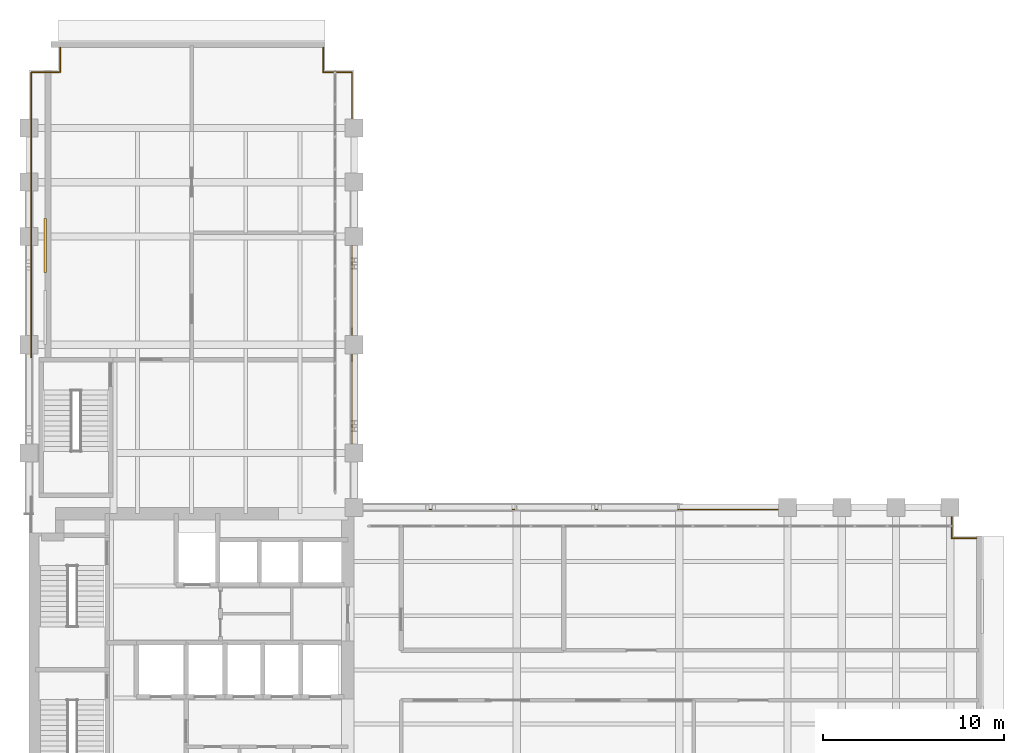
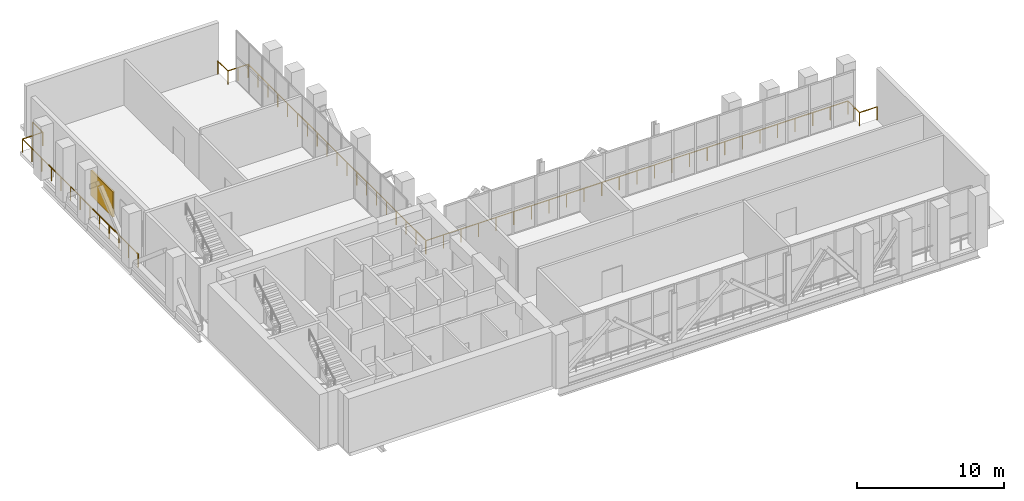
# One storey, part 27 of 27: 2 railings, 1 shading device.
"""IFC4 building model written with IfcOpenShell, lengths in metres."""

from ifc_helpers import new_model, si_unit, direction, frame, origin, origin_2d, place, context, subcontext, project, spatial, rectangle, circle, extrude, material, layer, layer_set, type_object, element, save


model = new_model("IFC4")

# Units and contexts
model_context = context("Model", 3, precision=1e-05, world=origin(), true_north=direction((0.0, 1.0)))
body_context = subcontext(model_context, "Body", "Model", "MODEL_VIEW")
ifc_project = project(units=[si_unit("LENGTHUNIT", "METRE"), si_unit("AREAUNIT", "SQUARE_METRE"), si_unit("VOLUMEUNIT", "CUBIC_METRE"), si_unit("PLANEANGLEUNIT", "RADIAN"), si_unit("MASSUNIT", "GRAM", prefix="KILO")], contexts=[model_context])

# Site, building, storey
site_placement = place(None, origin())
site = spatial("IfcSite", under=ifc_project, at=site_placement, CompositionType="ELEMENT")
building_placement = place(site_placement, origin())
building = spatial("IfcBuilding", under=site, at=building_placement, Name="Mawjdan Bourse Tower", CompositionType="ELEMENT")
storey_placement = place(building_placement, frame((0.0, 0.0, 155.699951171875)))
storey = spatial("IfcBuildingStorey", under=building, at=storey_placement, Name="L37", CompositionType="ELEMENT", Elevation=155.699951171875)

# Railings
ifc_material_1 = material(Name="Structural Steel S355", Category="steel")
railing_type = type_object("IfcRailingType", Name="RLG-GRD-1100", PredefinedType="GUARDRAIL", material=ifc_material_1)
railing_1_placement = place(storey_placement, frame((58.4599609375, 19.280029296875, 0.0)))
element("IfcRailing", 1, at=railing_1_placement, inside=storey, type_object=railing_type, Name="L37 Refuge North-East Perimeter Safety Guardrail", PredefinedType="GUARDRAIL", context=body_context, shape_type="SweptSolid", body=[
    extrude(circle(Radius=0.02490234375, at=origin_2d()), frame((0.0, 0.0, 1.09521484375), z_axis=(-1.0, 0.0, 0.0), x_axis=(0.0, -1.0, 0.0)), (0.0, 0.0, 1.0), 1.3798828125),
    extrude(circle(Radius=0.02490234375, at=origin_2d()), frame((-1.3798828125, 0.0, 1.09521484375), z_axis=(0.0, 1.0, 0.0), x_axis=(-1.0, 0.0, 0.0)), (0.0, 0.0, 1.0), 1.599853515625),
    extrude(circle(Radius=0.02490234375, at=origin_2d()), frame((-1.3798828125, 1.599853515625, 1.09521484375), z_axis=(-1.0, 0.0, 0.0), x_axis=(0.0, -1.0, 0.0)), (0.0, 0.0, 1.0), 33.2001953125),
    extrude(circle(Radius=0.02490234375, at=origin_2d()), frame((-34.580078125, 1.599853515625, 1.09521484375), z_axis=(0.0, 1.0, 0.0), x_axis=(-1.0, 0.0, 0.0)), (0.0, 0.0, 1.0), 24.2001953125),
    extrude(circle(Radius=0.02490234375, at=origin_2d()), frame((-34.580078125, 25.800048828125, 1.09521484375), z_axis=(-1.0, 0.0, 0.0), x_axis=(0.0, -1.0, 0.0)), (0.0, 0.0, 1.0), 1.599853515625),
    extrude(circle(Radius=0.02490234375, at=origin_2d()), frame((-36.179931640625, 25.800048828125, 1.09521484375), z_axis=(0.0, 1.0, 0.0), x_axis=(-1.0, 0.0, 0.0)), (0.0, 0.0, 1.0), 1.3798828125),
    extrude(circle(Radius=0.02197265625, at=origin_2d()), origin(), (0.0, 0.0, 1.0), 1.070068359375),
    extrude(circle(Radius=0.02197265625, at=origin_2d()), frame((-1.3798828125, 0.0, 0.0)), (0.0, 0.0, 1.0), 1.070068359375),
    extrude(circle(Radius=0.02197265625, at=origin_2d()), frame((-1.3798828125, 0.7998046875, 0.0)), (0.0, 0.0, 1.0), 1.070068359375),
    extrude(circle(Radius=0.02197265625, at=origin_2d()), frame((-1.3798828125, 1.599853515625, 0.0)), (0.0, 0.0, 1.0), 1.070068359375),
    extrude(circle(Radius=0.02197265625, at=origin_2d()), frame((-2.76318359375, 1.599853515625, 0.0)), (0.0, 0.0, 1.0), 1.070068359375),
    extrude(circle(Radius=0.02197265625, at=origin_2d()), frame((-4.146484375, 1.599853515625, 0.0)), (0.0, 0.0, 1.0), 1.070068359375),
    extrude(circle(Radius=0.02197265625, at=origin_2d()), frame((-5.52978515625, 1.599853515625, 0.0)), (0.0, 0.0, 1.0), 1.070068359375),
    extrude(circle(Radius=0.02197265625, at=origin_2d()), frame((-6.913330078125, 1.599853515625, 0.0)), (0.0, 0.0, 1.0), 1.070068359375),
    extrude(circle(Radius=0.02197265625, at=origin_2d()), frame((-8.296630859375, 1.599853515625, 0.0)), (0.0, 0.0, 1.0), 1.070068359375),
    extrude(circle(Radius=0.02197265625, at=origin_2d()), frame((-9.679931640625, 1.599853515625, 0.0)), (0.0, 0.0, 1.0), 1.070068359375),
    extrude(circle(Radius=0.02197265625, at=origin_2d()), frame((-11.063232421875, 1.599853515625, 0.0)), (0.0, 0.0, 1.0), 1.070068359375),
    extrude(circle(Radius=0.02197265625, at=origin_2d()), frame((-12.446533203125, 1.599853515625, 0.0)), (0.0, 0.0, 1.0), 1.070068359375),
    extrude(circle(Radius=0.02197265625, at=origin_2d()), frame((-13.830078125, 1.599853515625, 0.0)), (0.0, 0.0, 1.0), 1.070068359375),
    extrude(circle(Radius=0.02197265625, at=origin_2d()), frame((-15.21337890625, 1.599853515625, 0.0)), (0.0, 0.0, 1.0), 1.070068359375),
    extrude(circle(Radius=0.02197265625, at=origin_2d()), frame((-16.5966796875, 1.599853515625, 0.0)), (0.0, 0.0, 1.0), 1.070068359375),
    extrude(circle(Radius=0.02197265625, at=origin_2d()), frame((-17.97998046875, 1.599853515625, 0.0)), (0.0, 0.0, 1.0), 1.070068359375),
    extrude(circle(Radius=0.02197265625, at=origin_2d()), frame((-19.36328125, 1.599853515625, 0.0)), (0.0, 0.0, 1.0), 1.070068359375),
    extrude(circle(Radius=0.02197265625, at=origin_2d()), frame((-20.74658203125, 1.599853515625, 0.0)), (0.0, 0.0, 1.0), 1.070068359375),
    extrude(circle(Radius=0.02197265625, at=origin_2d()), frame((-22.1298828125, 1.599853515625, 0.0)), (0.0, 0.0, 1.0), 1.070068359375),
    extrude(circle(Radius=0.02197265625, at=origin_2d()), frame((-23.513427734375, 1.599853515625, 0.0)), (0.0, 0.0, 1.0), 1.070068359375),
    extrude(circle(Radius=0.02197265625, at=origin_2d()), frame((-24.896728515625, 1.599853515625, 0.0)), (0.0, 0.0, 1.0), 1.070068359375),
    extrude(circle(Radius=0.02197265625, at=origin_2d()), frame((-26.280029296875, 1.599853515625, 0.0)), (0.0, 0.0, 1.0), 1.070068359375),
    extrude(circle(Radius=0.02197265625, at=origin_2d()), frame((-27.663330078125, 1.599853515625, 0.0)), (0.0, 0.0, 1.0), 1.070068359375),
    extrude(circle(Radius=0.02197265625, at=origin_2d()), frame((-29.046630859375, 1.599853515625, 0.0)), (0.0, 0.0, 1.0), 1.070068359375),
    extrude(circle(Radius=0.02197265625, at=origin_2d()), frame((-30.43017578125, 1.599853515625, 0.0)), (0.0, 0.0, 1.0), 1.070068359375),
    extrude(circle(Radius=0.02197265625, at=origin_2d()), frame((-31.8134765625, 1.599853515625, 0.0)), (0.0, 0.0, 1.0), 1.070068359375),
    extrude(circle(Radius=0.02197265625, at=origin_2d()), frame((-33.19677734375, 1.599853515625, 0.0)), (0.0, 0.0, 1.0), 1.070068359375),
    extrude(circle(Radius=0.02197265625, at=origin_2d()), frame((-34.580078125, 1.599853515625, 0.0)), (0.0, 0.0, 1.0), 1.070068359375),
    extrude(circle(Radius=0.02197265625, at=origin_2d()), frame((-34.580078125, 2.9443359375, 0.0)), (0.0, 0.0, 1.0), 1.070068359375),
    extrude(circle(Radius=0.02197265625, at=origin_2d()), frame((-34.580078125, 4.288818359375, 0.0)), (0.0, 0.0, 1.0), 1.070068359375),
    extrude(circle(Radius=0.02197265625, at=origin_2d()), frame((-34.580078125, 5.63330078125, 0.0)), (0.0, 0.0, 1.0), 1.070068359375),
    extrude(circle(Radius=0.02197265625, at=origin_2d()), frame((-34.580078125, 6.977783203125, 0.0)), (0.0, 0.0, 1.0), 1.070068359375),
    extrude(circle(Radius=0.02197265625, at=origin_2d()), frame((-34.580078125, 8.322021484375, 0.0)), (0.0, 0.0, 1.0), 1.070068359375),
    extrude(circle(Radius=0.02197265625, at=origin_2d()), frame((-34.580078125, 9.66650390625, 0.0)), (0.0, 0.0, 1.0), 1.070068359375),
    extrude(circle(Radius=0.02197265625, at=origin_2d()), frame((-34.580078125, 11.010986328125, 0.0)), (0.0, 0.0, 1.0), 1.070068359375),
    extrude(circle(Radius=0.02197265625, at=origin_2d()), frame((-34.580078125, 12.35546875, 0.0)), (0.0, 0.0, 1.0), 1.070068359375),
    extrude(circle(Radius=0.02197265625, at=origin_2d()), frame((-34.580078125, 13.699951171875, 0.0)), (0.0, 0.0, 1.0), 1.070068359375),
    extrude(circle(Radius=0.02197265625, at=origin_2d()), frame((-34.580078125, 15.04443359375, 0.0)), (0.0, 0.0, 1.0), 1.070068359375),
    extrude(circle(Radius=0.02197265625, at=origin_2d()), frame((-34.580078125, 16.388916015625, 0.0)), (0.0, 0.0, 1.0), 1.070068359375),
    extrude(circle(Radius=0.02197265625, at=origin_2d()), frame((-34.580078125, 17.7333984375, 0.0)), (0.0, 0.0, 1.0), 1.070068359375),
    extrude(circle(Radius=0.02197265625, at=origin_2d()), frame((-34.580078125, 19.077880859375, 0.0)), (0.0, 0.0, 1.0), 1.070068359375),
    extrude(circle(Radius=0.02197265625, at=origin_2d()), frame((-34.580078125, 20.422119140625, 0.0)), (0.0, 0.0, 1.0), 1.070068359375),
    extrude(circle(Radius=0.02197265625, at=origin_2d()), frame((-34.580078125, 21.7666015625, 0.0)), (0.0, 0.0, 1.0), 1.070068359375),
    extrude(circle(Radius=0.02197265625, at=origin_2d()), frame((-34.580078125, 23.111083984375, 0.0)), (0.0, 0.0, 1.0), 1.070068359375),
    extrude(circle(Radius=0.02197265625, at=origin_2d()), frame((-34.580078125, 24.45556640625, 0.0)), (0.0, 0.0, 1.0), 1.070068359375),
    extrude(circle(Radius=0.02197265625, at=origin_2d()), frame((-34.580078125, 25.800048828125, 0.0)), (0.0, 0.0, 1.0), 1.070068359375),
    extrude(circle(Radius=0.02197265625, at=origin_2d()), frame((-35.3798828125, 25.800048828125, 0.0)), (0.0, 0.0, 1.0), 1.070068359375),
    extrude(circle(Radius=0.02197265625, at=origin_2d()), frame((-36.179931640625, 25.800048828125, 0.0)), (0.0, 0.0, 1.0), 1.070068359375),
    extrude(circle(Radius=0.02197265625, at=origin_2d()), frame((-36.179931640625, 27.179931640625, 0.0)), (0.0, 0.0, 1.0), 1.070068359375),
])
railing_2_placement = place(storey_placement, frame((7.719970703125, 46.4599609375, 0.0)))
element("IfcRailing", 2, at=railing_2_placement, inside=storey, type_object=railing_type, Name="L37 Refuge North-West Perimeter Safety Guardrail", PredefinedType="GUARDRAIL", context=body_context, shape_type="SweptSolid", body=[
    extrude(circle(Radius=0.02490234375, at=origin_2d()), frame((0.0, 0.0, 1.09521484375), z_axis=(0.0, -1.0, 0.0), x_axis=(1.0, 0.0, 0.0)), (0.0, 0.0, 1.0), 1.3798828125),
    extrude(circle(Radius=0.02490234375, at=origin_2d()), frame((0.0, -1.3798828125, 1.09521484375), z_axis=(-1.0, 0.0, 0.0), x_axis=(0.0, -1.0, 0.0)), (0.0, 0.0, 1.0), 1.599853515625),
    extrude(circle(Radius=0.02490234375, at=origin_2d()), frame((-1.599853515625, -1.3798828125, 1.09521484375), z_axis=(0.0, -1.0, 0.0), x_axis=(1.0, 0.0, 0.0)), (0.0, 0.0, 1.0), 15.780029296875),
    extrude(circle(Radius=0.02197265625, at=origin_2d()), origin(), (0.0, 0.0, 1.0), 1.070068359375),
    extrude(circle(Radius=0.02197265625, at=origin_2d()), frame((0.0, -1.3798828125, 0.0)), (0.0, 0.0, 1.0), 1.070068359375),
    extrude(circle(Radius=0.02197265625, at=origin_2d()), frame((-0.7998046875, -1.3798828125, 0.0)), (0.0, 0.0, 1.0), 1.070068359375),
    extrude(circle(Radius=0.02197265625, at=origin_2d()), frame((-1.599853515625, -1.3798828125, 0.0)), (0.0, 0.0, 1.0), 1.070068359375),
    extrude(circle(Radius=0.02197265625, at=origin_2d()), frame((-1.599853515625, -2.69482421875, 0.0)), (0.0, 0.0, 1.0), 1.070068359375),
    extrude(circle(Radius=0.02197265625, at=origin_2d()), frame((-1.599853515625, -4.009765625, 0.0)), (0.0, 0.0, 1.0), 1.070068359375),
    extrude(circle(Radius=0.02197265625, at=origin_2d()), frame((-1.599853515625, -5.324951171875, 0.0)), (0.0, 0.0, 1.0), 1.070068359375),
    extrude(circle(Radius=0.02197265625, at=origin_2d()), frame((-1.599853515625, -6.639892578125, 0.0)), (0.0, 0.0, 1.0), 1.070068359375),
    extrude(circle(Radius=0.02197265625, at=origin_2d()), frame((-1.599853515625, -7.954833984375, 0.0)), (0.0, 0.0, 1.0), 1.070068359375),
    extrude(circle(Radius=0.02197265625, at=origin_2d()), frame((-1.599853515625, -9.27001953125, 0.0)), (0.0, 0.0, 1.0), 1.070068359375),
    extrude(circle(Radius=0.02197265625, at=origin_2d()), frame((-1.599853515625, -10.5849609375, 0.0)), (0.0, 0.0, 1.0), 1.070068359375),
    extrude(circle(Radius=0.02197265625, at=origin_2d()), frame((-1.599853515625, -11.89990234375, 0.0)), (0.0, 0.0, 1.0), 1.070068359375),
    extrude(circle(Radius=0.02197265625, at=origin_2d()), frame((-1.599853515625, -13.21484375, 0.0)), (0.0, 0.0, 1.0), 1.070068359375),
    extrude(circle(Radius=0.02197265625, at=origin_2d()), frame((-1.599853515625, -14.52978515625, 0.0)), (0.0, 0.0, 1.0), 1.070068359375),
    extrude(circle(Radius=0.02197265625, at=origin_2d()), frame((-1.599853515625, -15.844970703125, 0.0)), (0.0, 0.0, 1.0), 1.070068359375),
    extrude(circle(Radius=0.02197265625, at=origin_2d()), frame((-1.599853515625, -17.159912109375, 0.0)), (0.0, 0.0, 1.0), 1.070068359375),
])

# Shading device
ifc_material_2 = material(Name="Anodised Sand-Trap Aluminium", Category="aluminium")
ifc_layer = layer(ifc_material_2, 0.139892578125)
ifc_layer_set = layer_set([ifc_layer], Name="Anodised Sand-Trap Aluminium")
shading_device_type = type_object("IfcShadingDeviceType", Name="SHD-LVR-SAND", PredefinedType="JALOUSIE", material=ifc_layer_set)
shading_device_placement = place(storey_placement, frame((6.89990234375, 35.5, 1.050048828125), z_axis=(0.0, 0.0, 1.0), x_axis=(1.0, 0.0, 0.0)))
element("IfcShadingDevice", 3, at=shading_device_placement, inside=storey, type_object=shading_device_type, Name="L37 West Sand-Trap Intake Louvre 2", PredefinedType="JALOUSIE", context=body_context, shape_type="SweptSolid", body=[
    extrude(rectangle(XDim=0.139892578125, YDim=3.0, at=origin_2d()), origin(), (0.0, 0.0, 1.0), 2.10009765625),
])

save(model, "model.ifc")
